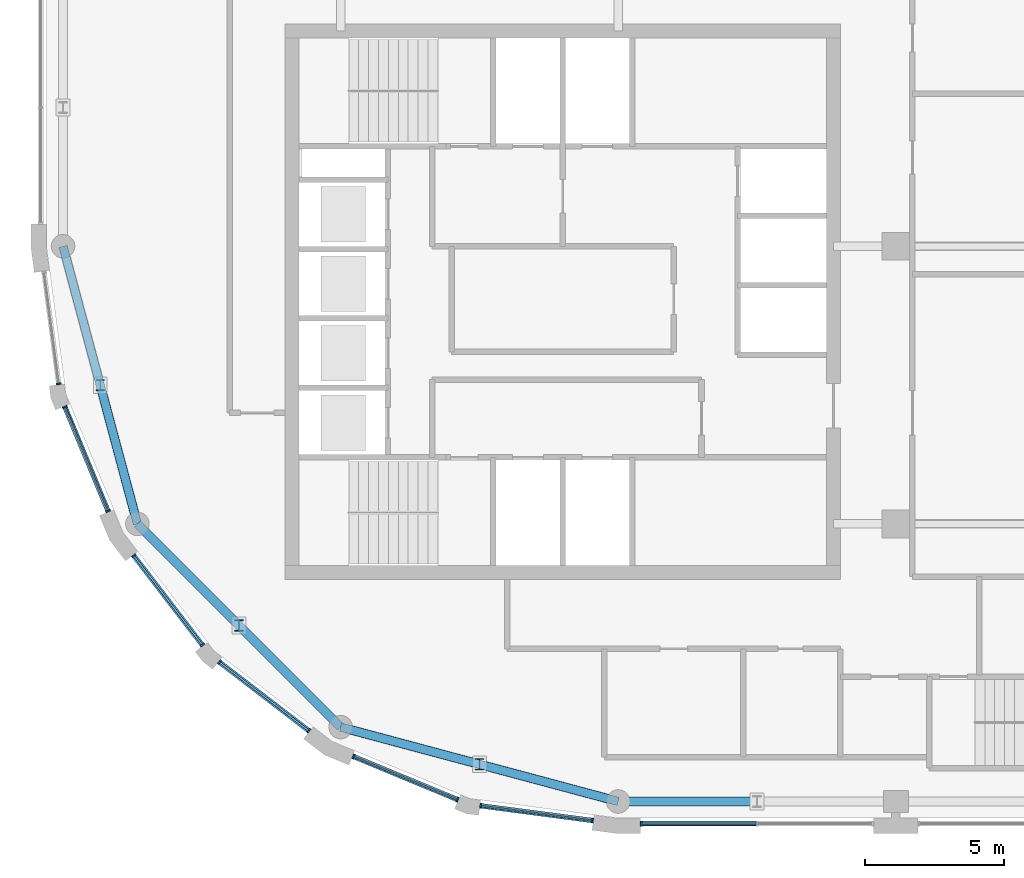
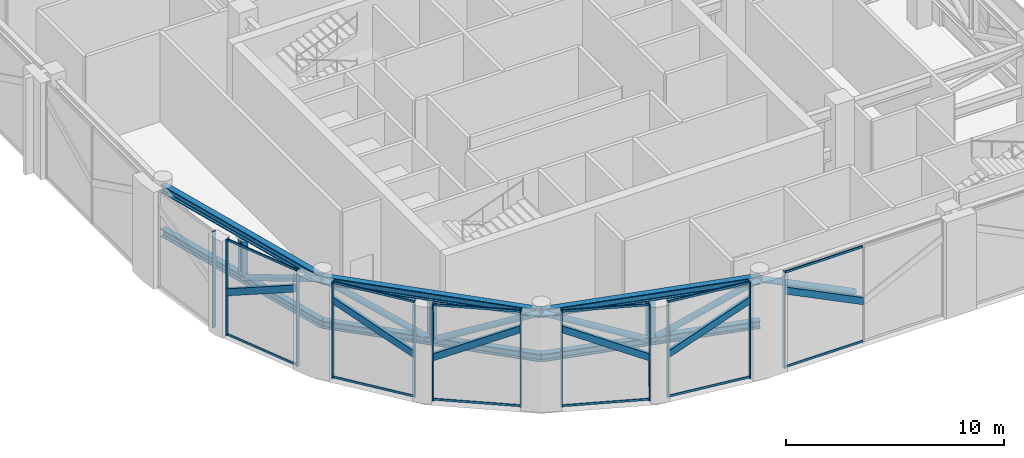
# One storey, part 2 of 18: 45 members, 7 elements without a shape of their own.
"""IFC4 building model written with IfcOpenShell, lengths in metres."""

from ifc_helpers import new_model, si_unit, direction, frame, origin, origin_2d, place, context, subcontext, project, spatial, polyline, rectangle, hollow_circle, i_section, outline, extrude, material, layer, layer_set, material_profile, profile_set, type_object, element, aggregate, save


model = new_model("IFC4")

# Units and contexts
model_context = context("Model", 3, precision=1e-05, world=origin(), true_north=direction((0.0, 1.0)))
body_context = subcontext(model_context, "Body", "Model", "MODEL_VIEW")
ifc_project = project(units=[si_unit("LENGTHUNIT", "METRE"), si_unit("AREAUNIT", "SQUARE_METRE"), si_unit("VOLUMEUNIT", "CUBIC_METRE"), si_unit("PLANEANGLEUNIT", "RADIAN"), si_unit("MASSUNIT", "GRAM", prefix="KILO")], contexts=[model_context])

# Site, building, storey
site_placement = place(None, origin())
site = spatial("IfcSite", under=ifc_project, at=site_placement, CompositionType="ELEMENT")
building_placement = place(site_placement, origin())
building = spatial("IfcBuilding", under=site, at=building_placement, Name="Qaws Garden Tower", CompositionType="ELEMENT")
storey_placement = place(building_placement, frame((0.0, 0.0, 352.800048828125)))
storey = spatial("IfcBuildingStorey", under=building, at=storey_placement, Name="L86", CompositionType="ELEMENT", Elevation=352.800048828125)

# Members
ifc_material_1 = material(Name="Steel S355", Category="steel")
ifc_material_profile_1 = material_profile(ifc_material_1, i_section(OverallWidth=0.306884765625, OverallDepth=0.431884765625, WebThickness=0.02099609375, FlangeThickness=0.0400390625, FilletRadius=0.027099609375, at=origin_2d()), Name="HEM 400")
ifc_profile_set_1 = profile_set([ifc_material_profile_1], Name="Steel S355")
member_type_1 = type_object("IfcMemberType", Name="Belt chord HEM 400", PredefinedType="CHORD", material=ifc_profile_set_1)
for number, where, z_axis, x_axis, name in (
    (1, (0.0, 20.0, 4.783935546875), (0.25881466832, -0.965926999034, 0.0), (0.965926999034, 0.25881466832, 0.0), "Belt truss top chord 18"),
    (2, (0.0, 20.0, 2.31591796875), (0.25881466832, -0.965926999034, 0.0), (0.965926999034, 0.25881466832, 0.0), "Belt truss bottom chord 18"),
    (3, (2.679443359375, 10.0, 4.783935546875), (0.707106781187, -0.707106781187, 0.0), (0.707106781187, 0.707106781187, 0.0), "Belt truss top chord 19"),
    (4, (2.679443359375, 10.0, 2.31591796875), (0.707106781187, -0.707106781187, 0.0), (0.707106781187, 0.707106781187, 0.0), "Belt truss bottom chord 19"),
    (5, (10.0, 2.679443359375, 4.783935546875), (0.965926999034, -0.25881466832, 0.0), (0.25881466832, 0.965926999034, 0.0), "Belt truss top chord 20"),
    (6, (10.0, 2.679443359375, 2.31591796875), (0.965926999034, -0.25881466832, 0.0), (0.25881466832, 0.965926999034, 0.0), "Belt truss bottom chord 20"),
):
    element("IfcMember", number, at=place(storey_placement, frame(where, z_axis=z_axis, x_axis=x_axis)), inside=storey, type_object=member_type_1, Name=name, PredefinedType="CHORD", context=body_context, shape_type="SweptSolid", body=[
        extrude(i_section(OverallWidth=0.306884765625, OverallDepth=0.431884765625, WebThickness=0.02099609375, FlangeThickness=0.0400390625, FilletRadius=0.027099609375, at=origin_2d()), origin(), (0.0, 0.0, 1.0), 10.352783203125),
    ])
ifc_material_2 = material(Name="Steel S355", Category="steel")
ifc_material_profile_2 = material_profile(ifc_material_2, hollow_circle(Radius=0.161865234375, WallThickness=0.01611328125, at=origin_2d()), Name="CHS 323.9x16")
ifc_profile_set_2 = profile_set([ifc_material_profile_2], Name="Steel S355")
member_type_2 = type_object("IfcMemberType", Name="Belt diagonal CHS 323.9x16", PredefinedType="BRACE", material=ifc_profile_set_2)
member_1_placement = place(storey_placement, frame((20.0, 0.0, 4.783935546875), z_axis=(0.896709736444, 0.0, -0.442619078404), x_axis=(0.0, 1.0, 0.0)))
element("IfcMember", 7, at=member_1_placement, inside=storey, type_object=member_type_2, Name="Belt truss diagonal 1a", PredefinedType="BRACE", context=body_context, shape_type="SweptSolid", body=[
    extrude(hollow_circle(Radius=0.161865234375, WallThickness=0.01611328125, at=origin_2d()), origin(), (0.0, 0.0, 1.0), 5.575927734375),
])
for number, where, z_axis, x_axis, name in (
    (8, (1.339599609375, 15.0, 2.31591796875), (0.233639732407, -0.871891712772, 0.430368814669), (0.965921103361, 0.258836670666, 0.0), "Belt truss diagonal 18b"),
    (9, (2.679443359375, 10.0, 4.783935546875), (0.638293645637, -0.63825107286, -0.430368202744), (0.707083198776, 0.70713036281, 0.0), "Belt truss diagonal 19a"),
    (10, (6.33984375, 6.33984375, 2.31591796875), (0.63825107286, -0.638293645637, 0.430368202744), (0.70713036281, 0.707083198776, 0.0), "Belt truss diagonal 19b"),
    (11, (10.0, 2.679443359375, 4.783935546875), (0.871891712772, -0.233639732407, -0.430368814669), (0.258836670666, 0.965921103361, 0.0), "Belt truss diagonal 20a"),
    (12, (15.0, 1.339599609375, 2.31591796875), (0.871900384563, -0.233599482915, 0.430373095095), (0.258792665571, 0.965932894277, 0.0), "Belt truss diagonal 20b"),
):
    element("IfcMember", number, at=place(storey_placement, frame(where, z_axis=z_axis, x_axis=x_axis)), inside=storey, type_object=member_type_2, Name=name, PredefinedType="BRACE", context=body_context, shape_type="SweptSolid", body=[
        extrude(hollow_circle(Radius=0.161865234375, WallThickness=0.01611328125, at=origin_2d()), origin(), (0.0, 0.0, 1.0), 5.734619140625),
    ])
ifc_material_3 = material(Name="Steel S355", Category="steel")
ifc_material_profile_3 = material_profile(ifc_material_3, i_section(OverallWidth=0.300048828125, OverallDepth=0.39990234375, WebThickness=0.013427734375, FlangeThickness=0.02392578125, FilletRadius=0.027099609375, at=origin_2d()), Name="HEB 400")
ifc_profile_set_3 = profile_set([ifc_material_profile_3], Name="Steel S355")
member_type_3 = type_object("IfcMemberType", Name="Belt post HEB 400", PredefinedType="POST", material=ifc_profile_set_3)
for number, where, z_axis, x_axis, name in (
    (13, (1.339599609375, 15.0, 2.531982421875), (0.0, 0.0, 1.0), (1.0, 0.0, 0.0), "Belt truss post 18"),
    (14, (6.33984375, 6.33984375, 2.531982421875), (0.0, 0.0, 1.0), (1.0, 0.0, 0.0), "Belt truss post 19"),
    (15, (15.0, 1.339599609375, 2.531982421875), (0.0, 0.0, 1.0), (1.0, 0.0, 0.0), "Belt truss post 20"),
):
    element("IfcMember", number, at=place(storey_placement, frame(where, z_axis=z_axis, x_axis=x_axis)), inside=storey, type_object=member_type_3, Name=name, PredefinedType="POST", context=body_context, shape_type="SweptSolid", body=[
        extrude(i_section(OverallWidth=0.300048828125, OverallDepth=0.39990234375, WebThickness=0.013427734375, FlangeThickness=0.02392578125, FilletRadius=0.027099609375, at=origin_2d()), origin(), (0.0, 0.0, 1.0), 2.035888671875),
    ])

# Curtain wall, member
ifc_material_4 = material(Name="Anodised aluminium curtain wall frame", Category="aluminium")
ifc_layer = layer(ifc_material_4, 0.159912109375)
ifc_layer_set = layer_set([ifc_layer], Name="Anodised aluminium curtain wall frame")
curtain_wall_type = type_object("IfcCurtainWallType", Name="CW6 plant floor louvre glazing curtain wall", PredefinedType="NOTDEFINED", material=ifc_layer_set)
placement = place(storey_placement, origin())
curtain_wall_1 = element("IfcCurtainWall", 16, at=placement, inside=storey, type_object=curtain_wall_type, Name="CW6 Plant floor louvre glazing 00", PredefinedType="NOTDEFINED")
ifc_material_5 = material(Name="Anodised aluminium curtain wall frame", Category="aluminium")
ifc_material_profile_4 = material_profile(ifc_material_5, rectangle(XDim=0.179931640625, YDim=0.360107421875, at=origin_2d()), Name="AL 180x360")
ifc_profile_set_4 = profile_set([ifc_material_profile_4], Name="Anodised aluminium curtain wall frame")
member_type_4 = type_object("IfcMemberType", Name="CW6 inclined transom 360 x 180", PredefinedType="USERDEFINED", material=ifc_profile_set_4)
member_2_placement = place(storey_placement, frame((20.800048828125, -0.800048828125, 0.119873046875), z_axis=(0.0, 0.0, 1.0), x_axis=(1.0, 0.0, 0.0)))
member_2 = element("IfcMember", 17, at=member_2_placement, type_object=member_type_4, Name="CW6 inclined transom 1.1", ObjectType="TRANSOM", PredefinedType="USERDEFINED", context=body_context, shape_type="SweptSolid", body=[
    extrude(outline(polyline([(0.06005859375, 4.038818359375), (4.169921875, 2.01025390625), (4.169921875, 2.41162109375), (0.06005859375, 4.440185546875), (0.06005859375, 4.038818359375)])), frame((0.0, 0.08984375, 0.0), z_axis=(0.0, -1.0, 0.0), x_axis=(1.0, 0.0, 0.0)), (0.0, 0.0, 1.0), 0.179931640625),
])

curtain_wall_2 = element("IfcCurtainWall", 18, at=placement, inside=storey, type_object=curtain_wall_type, Name="CW6 Plant floor louvre glazing 22", PredefinedType="NOTDEFINED")
member_3_placement = place(storey_placement, frame((0.05712890625, 14.240234375, 0.119873046875), z_axis=(0.0, 0.0, 1.0), x_axis=(0.382700599142, -0.923872421613, 0.0)))
member_3 = element("IfcMember", 19, at=member_3_placement, type_object=member_type_4, Name="CW6 inclined transom 1.1", ObjectType="TRANSOM", PredefinedType="USERDEFINED", context=body_context, shape_type="SweptSolid", body=[
    extrude(outline(polyline([(0.06005859375, 2.126708984375), (4.06103515625, 4.05078125), (4.06103515625, 4.4501953125), (0.06005859375, 2.526123046875), (0.06005859375, 2.126708984375)])), frame((0.0, 0.08984375, 0.0), z_axis=(0.0, -1.0, 0.0), x_axis=(1.0, 0.0, 0.0)), (0.0, 0.0, 1.0), 0.179931640625),
])

curtain_wall_3 = element("IfcCurtainWall", 20, at=placement, inside=storey, type_object=curtain_wall_type, Name="CW6 Plant floor louvre glazing 23", PredefinedType="NOTDEFINED")
member_4_placement = place(storey_placement, frame((2.53173828125, 8.87841796875, 0.119873046875), z_axis=(0.0, 0.0, 1.0), x_axis=(0.608759824817, -0.793354571229, 0.0)))
member_4 = element("IfcMember", 21, at=member_4_placement, type_object=member_type_4, Name="CW6 inclined transom 1.1", ObjectType="TRANSOM", PredefinedType="USERDEFINED", context=body_context, shape_type="SweptSolid", body=[
    extrude(outline(polyline([(0.06005859375, 4.05078125), (4.06103515625, 2.126708984375), (4.06103515625, 2.526123046875), (0.06005859375, 4.4501953125), (0.06005859375, 4.05078125)])), frame((0.0, 0.08984375, 0.0), z_axis=(0.0, -1.0, 0.0), x_axis=(1.0, 0.0, 0.0)), (0.0, 0.0, 1.0), 0.179931640625),
])

curtain_wall_4 = element("IfcCurtainWall", 22, at=placement, inside=storey, type_object=curtain_wall_type, Name="CW6 Plant floor louvre glazing 24", PredefinedType="NOTDEFINED")
member_5_placement = place(storey_placement, frame((5.60888671875, 5.04052734375, 0.119873046875), z_axis=(0.0, 0.0, 1.0), x_axis=(0.793354571229, -0.608759824817, 0.0)))
member_5 = element("IfcMember", 23, at=member_5_placement, type_object=member_type_4, Name="CW6 inclined transom 1.1", ObjectType="TRANSOM", PredefinedType="USERDEFINED", context=body_context, shape_type="SweptSolid", body=[
    extrude(outline(polyline([(0.06005859375, 2.126708984375), (4.06103515625, 4.05078125), (4.06103515625, 4.4501953125), (0.06005859375, 2.526123046875), (0.06005859375, 2.126708984375)])), frame((0.0, 0.08984375, 0.0), z_axis=(0.0, -1.0, 0.0), x_axis=(1.0, 0.0, 0.0)), (0.0, 0.0, 1.0), 0.179931640625),
])

curtain_wall_5 = element("IfcCurtainWall", 24, at=placement, inside=storey, type_object=curtain_wall_type, Name="CW6 Plant floor louvre glazing 25", PredefinedType="NOTDEFINED")
member_6_placement = place(storey_placement, frame((10.432861328125, 1.63427734375, 0.119873046875), z_axis=(0.0, 0.0, 1.0), x_axis=(0.923872421613, -0.382700599142, 0.0)))
member_6 = element("IfcMember", 25, at=member_6_placement, type_object=member_type_4, Name="CW6 inclined transom 1.1", ObjectType="TRANSOM", PredefinedType="USERDEFINED", context=body_context, shape_type="SweptSolid", body=[
    extrude(outline(polyline([(0.06005859375, 4.05078125), (4.06103515625, 2.126708984375), (4.06103515625, 2.526123046875), (0.06005859375, 4.4501953125), (0.06005859375, 4.05078125)])), frame((0.0, 0.08984375, 0.0), z_axis=(0.0, -1.0, 0.0), x_axis=(1.0, 0.0, 0.0)), (0.0, 0.0, 1.0), 0.179931640625),
])

curtain_wall_6 = element("IfcCurtainWall", 26, at=placement, inside=storey, type_object=curtain_wall_type, Name="CW6 Plant floor louvre glazing 26", PredefinedType="NOTDEFINED")
member_7_placement = place(storey_placement, frame((15.0166015625, -0.15087890625, 0.119873046875), z_axis=(0.0, 0.0, 1.0), x_axis=(0.991447438579, -0.130506614913, 0.0)))
member_7 = element("IfcMember", 27, at=member_7_placement, type_object=member_type_4, Name="CW6 inclined transom 1.1", ObjectType="TRANSOM", PredefinedType="USERDEFINED", context=body_context, shape_type="SweptSolid", body=[
    extrude(outline(polyline([(0.06005859375, 2.126708984375), (4.06103515625, 4.05078125), (4.06103515625, 4.4501953125), (0.06005859375, 2.526123046875), (0.06005859375, 2.126708984375)])), frame((0.0, 0.08984375, 0.0), z_axis=(0.0, -1.0, 0.0), x_axis=(1.0, 0.0, 0.0)), (0.0, 0.0, 1.0), 0.179931640625),
])

# Member
ifc_material_6 = material(Name="Anodised aluminium curtain wall frame", Category="aluminium")
ifc_material_profile_5 = material_profile(ifc_material_6, rectangle(XDim=0.179931640625, YDim=0.06005859375, at=origin_2d()), Name="AL 60x180")
ifc_profile_set_5 = profile_set([ifc_material_profile_5], Name="Anodised aluminium curtain wall frame")
member_type_5 = type_object("IfcMemberType", Name="CW6 mullion 60 x 180", PredefinedType="MULLION", material=ifc_profile_set_5)
member_8_placement = place(storey_placement, frame((20.830078125, -0.800048828125, 0.0), z_axis=(0.0, 0.0, 1.0), x_axis=(0.0, 1.0, 0.0)))
member_8 = element("IfcMember", 28, at=member_8_placement, type_object=member_type_5, Name="CW6 mullion 1", PredefinedType="MULLION", context=body_context, shape_type="SweptSolid", body=[
    extrude(rectangle(XDim=0.179931640625, YDim=0.06005859375, at=origin_2d()), origin(), (0.0, 0.0, 1.0), 5.39990234375),
])

# Curtain wall, member
curtain_wall_7 = element("IfcCurtainWall", 29, at=placement, inside=storey, type_object=curtain_wall_type, Name="CW6 Plant floor louvre glazing 21", PredefinedType="NOTDEFINED")
member_9_placement = place(storey_placement, frame((-0.15478515625, 15.04638671875, 0.0), z_axis=(0.0, 0.0, 1.0), x_axis=(0.991444861397, 0.130526192047, 0.0)))
member_9 = element("IfcMember", 30, at=member_9_placement, type_object=member_type_5, Name="CW6 mullion 2", PredefinedType="MULLION", context=body_context, shape_type="SweptSolid", body=[
    extrude(rectangle(XDim=0.179931640625, YDim=0.06005859375, at=origin_2d()), origin(), (0.0, 0.0, 1.0), 5.39990234375),
])
aggregate(curtain_wall_7, [member_9])

# Member
member_10_placement = place(storey_placement, frame((0.068603515625, 14.212646484375, 0.0), z_axis=(0.0, 0.0, 1.0), x_axis=(0.923879532545, 0.382683432284, 0.0)))
member_10 = element("IfcMember", 31, at=member_10_placement, type_object=member_type_5, Name="CW6 mullion 1", PredefinedType="MULLION", context=body_context, shape_type="SweptSolid", body=[
    extrude(rectangle(XDim=0.179931640625, YDim=0.06005859375, at=origin_2d()), origin(), (0.0, 0.0, 1.0), 5.39990234375),
])

member_11_placement = place(storey_placement, frame((1.622802734375, 10.460693359375, 0.0), z_axis=(0.0, 0.0, 1.0), x_axis=(0.923879532545, 0.382683432284, 0.0)))
member_11 = element("IfcMember", 32, at=member_11_placement, type_object=member_type_5, Name="CW6 mullion 2", PredefinedType="MULLION", context=body_context, shape_type="SweptSolid", body=[
    extrude(rectangle(XDim=0.179931640625, YDim=0.06005859375, at=origin_2d()), origin(), (0.0, 0.0, 1.0), 5.39990234375),
])

member_12_placement = place(storey_placement, frame((2.550048828125, 8.8544921875, 0.0), z_axis=(0.0, 0.0, 1.0), x_axis=(0.793353340355, 0.608761428926, 0.0)))
member_12 = element("IfcMember", 33, at=member_12_placement, type_object=member_type_5, Name="CW6 mullion 1", PredefinedType="MULLION", context=body_context, shape_type="SweptSolid", body=[
    extrude(rectangle(XDim=0.179931640625, YDim=0.06005859375, at=origin_2d()), origin(), (0.0, 0.0, 1.0), 5.39990234375),
])

member_13_placement = place(storey_placement, frame((5.022216796875, 5.632568359375, 0.0), z_axis=(0.0, 0.0, 1.0), x_axis=(0.793353340355, 0.608761428926, 0.0)))
member_13 = element("IfcMember", 34, at=member_13_placement, type_object=member_type_5, Name="CW6 mullion 2", PredefinedType="MULLION", context=body_context, shape_type="SweptSolid", body=[
    extrude(rectangle(XDim=0.179931640625, YDim=0.06005859375, at=origin_2d()), origin(), (0.0, 0.0, 1.0), 5.39990234375),
])

member_14_placement = place(storey_placement, frame((5.632568359375, 5.022216796875, 0.0), z_axis=(0.0, 0.0, 1.0), x_axis=(0.608761428926, 0.793353340355, 0.0)))
member_14 = element("IfcMember", 35, at=member_14_placement, type_object=member_type_5, Name="CW6 mullion 1", PredefinedType="MULLION", context=body_context, shape_type="SweptSolid", body=[
    extrude(rectangle(XDim=0.179931640625, YDim=0.06005859375, at=origin_2d()), origin(), (0.0, 0.0, 1.0), 5.39990234375),
])

member_15_placement = place(storey_placement, frame((8.8544921875, 2.550048828125, 0.0), z_axis=(0.0, 0.0, 1.0), x_axis=(0.608761428926, 0.793353340355, 0.0)))
member_15 = element("IfcMember", 36, at=member_15_placement, type_object=member_type_5, Name="CW6 mullion 2", PredefinedType="MULLION", context=body_context, shape_type="SweptSolid", body=[
    extrude(rectangle(XDim=0.179931640625, YDim=0.06005859375, at=origin_2d()), origin(), (0.0, 0.0, 1.0), 5.39990234375),
])

member_16_placement = place(storey_placement, frame((10.460693359375, 1.622802734375, 0.0), z_axis=(0.0, 0.0, 1.0), x_axis=(0.382683432284, 0.923879532545, 0.0)))
member_16 = element("IfcMember", 37, at=member_16_placement, type_object=member_type_5, Name="CW6 mullion 1", PredefinedType="MULLION", context=body_context, shape_type="SweptSolid", body=[
    extrude(rectangle(XDim=0.179931640625, YDim=0.06005859375, at=origin_2d()), origin(), (0.0, 0.0, 1.0), 5.39990234375),
])

member_17_placement = place(storey_placement, frame((14.212646484375, 0.068603515625, 0.0), z_axis=(0.0, 0.0, 1.0), x_axis=(0.382683432284, 0.923879532545, 0.0)))
member_17 = element("IfcMember", 38, at=member_17_placement, type_object=member_type_5, Name="CW6 mullion 2", PredefinedType="MULLION", context=body_context, shape_type="SweptSolid", body=[
    extrude(rectangle(XDim=0.179931640625, YDim=0.06005859375, at=origin_2d()), origin(), (0.0, 0.0, 1.0), 5.39990234375),
])

member_18_placement = place(storey_placement, frame((15.04638671875, -0.15478515625, 0.0), z_axis=(0.0, 0.0, 1.0), x_axis=(0.130526192047, 0.991444861397, 0.0)))
member_18 = element("IfcMember", 39, at=member_18_placement, type_object=member_type_5, Name="CW6 mullion 1", PredefinedType="MULLION", context=body_context, shape_type="SweptSolid", body=[
    extrude(rectangle(XDim=0.179931640625, YDim=0.06005859375, at=origin_2d()), origin(), (0.0, 0.0, 1.0), 5.39990234375),
])

member_19_placement = place(storey_placement, frame((19.07275390625, -0.684814453125, 0.0), z_axis=(0.0, 0.0, 1.0), x_axis=(0.130526192047, 0.991444861397, 0.0)))
member_19 = element("IfcMember", 40, at=member_19_placement, type_object=member_type_5, Name="CW6 mullion 2", PredefinedType="MULLION", context=body_context, shape_type="SweptSolid", body=[
    extrude(rectangle(XDim=0.179931640625, YDim=0.06005859375, at=origin_2d()), origin(), (0.0, 0.0, 1.0), 5.39990234375),
])

ifc_material_7 = material(Name="Anodised aluminium curtain wall frame", Category="aluminium")
ifc_material_profile_6 = material_profile(ifc_material_7, rectangle(XDim=0.06005859375, YDim=0.1201171875, at=origin_2d()), Name="AL 60x120")
ifc_profile_set_6 = profile_set([ifc_material_profile_6], Name="Anodised aluminium curtain wall frame")
member_type_6 = type_object("IfcMemberType", Name="CW6 transom 120 x 60", PredefinedType="USERDEFINED", material=ifc_profile_set_6)
member_20_placement = place(storey_placement, frame((20.860107421875, -0.800048828125, 0.06005859375), z_axis=(1.0, 0.0, 0.0), x_axis=(0.0, 1.0, 0.0)))
member_20 = element("IfcMember", 41, at=member_20_placement, type_object=member_type_6, Name="CW6 transom 1.1", ObjectType="TRANSOM", PredefinedType="USERDEFINED", context=body_context, shape_type="SweptSolid", body=[
    extrude(rectangle(XDim=0.06005859375, YDim=0.1201171875, at=origin_2d()), origin(), (0.0, 0.0, 1.0), 4.10986328125),
])

member_21_placement = place(storey_placement, frame((20.860107421875, -0.800048828125, 5.33984375), z_axis=(1.0, 0.0, 0.0), x_axis=(0.0, 1.0, 0.0)))
member_21 = element("IfcMember", 42, at=member_21_placement, type_object=member_type_6, Name="CW6 transom 1.2", ObjectType="TRANSOM", PredefinedType="USERDEFINED", context=body_context, shape_type="SweptSolid", body=[
    extrude(rectangle(XDim=0.06005859375, YDim=0.1201171875, at=origin_2d()), origin(), (0.0, 0.0, 1.0), 4.10986328125),
])

aggregate(curtain_wall_1, [member_8, member_20, member_21, member_2])

member_22_placement = place(storey_placement, frame((0.080078125, 14.184814453125, 0.06005859375), z_axis=(0.382703871955, -0.923871065891, 0.0), x_axis=(0.923871065891, 0.382703871955, 0.0)))
member_22 = element("IfcMember", 43, at=member_22_placement, type_object=member_type_6, Name="CW6 transom 1.1", ObjectType="TRANSOM", PredefinedType="USERDEFINED", context=body_context, shape_type="SweptSolid", body=[
    extrude(rectangle(XDim=0.06005859375, YDim=0.1201171875, at=origin_2d()), origin(), (0.0, 0.0, 1.0), 4.001220703125),
])

member_23_placement = place(storey_placement, frame((0.080078125, 14.184814453125, 5.33984375), z_axis=(0.382703871955, -0.923871065891, 0.0), x_axis=(0.923871065891, 0.382703871955, 0.0)))
member_23 = element("IfcMember", 44, at=member_23_placement, type_object=member_type_6, Name="CW6 transom 1.2", ObjectType="TRANSOM", PredefinedType="USERDEFINED", context=body_context, shape_type="SweptSolid", body=[
    extrude(rectangle(XDim=0.06005859375, YDim=0.1201171875, at=origin_2d()), origin(), (0.0, 0.0, 1.0), 4.001220703125),
])

aggregate(curtain_wall_2, [member_10, member_11, member_22, member_23, member_3])

member_24_placement = place(storey_placement, frame((2.568359375, 8.830810546875, 0.06005859375), z_axis=(0.608731260508, -0.793376488485, 0.0), x_axis=(0.793376488485, 0.608731260508, 0.0)))
member_24 = element("IfcMember", 45, at=member_24_placement, type_object=member_type_6, Name="CW6 transom 1.1", ObjectType="TRANSOM", PredefinedType="USERDEFINED", context=body_context, shape_type="SweptSolid", body=[
    extrude(rectangle(XDim=0.06005859375, YDim=0.1201171875, at=origin_2d()), origin(), (0.0, 0.0, 1.0), 4.0009765625),
])

member_25_placement = place(storey_placement, frame((2.568359375, 8.830810546875, 5.33984375), z_axis=(0.608731260508, -0.793376488485, 0.0), x_axis=(0.793376488485, 0.608731260508, 0.0)))
member_25 = element("IfcMember", 46, at=member_25_placement, type_object=member_type_6, Name="CW6 transom 1.2", ObjectType="TRANSOM", PredefinedType="USERDEFINED", context=body_context, shape_type="SweptSolid", body=[
    extrude(rectangle(XDim=0.06005859375, YDim=0.1201171875, at=origin_2d()), origin(), (0.0, 0.0, 1.0), 4.0009765625),
])

aggregate(curtain_wall_3, [member_12, member_13, member_24, member_25, member_4])

member_26_placement = place(storey_placement, frame((5.656494140625, 5.00390625, 0.06005859375), z_axis=(0.793376488485, -0.608731260508, 0.0), x_axis=(0.608731260508, 0.793376488485, 0.0)))
member_26 = element("IfcMember", 47, at=member_26_placement, type_object=member_type_6, Name="CW6 transom 1.1", ObjectType="TRANSOM", PredefinedType="USERDEFINED", context=body_context, shape_type="SweptSolid", body=[
    extrude(rectangle(XDim=0.06005859375, YDim=0.1201171875, at=origin_2d()), origin(), (0.0, 0.0, 1.0), 4.0009765625),
])

member_27_placement = place(storey_placement, frame((5.656494140625, 5.00390625, 5.33984375), z_axis=(0.793376488485, -0.608731260508, 0.0), x_axis=(0.608731260508, 0.793376488485, 0.0)))
member_27 = element("IfcMember", 48, at=member_27_placement, type_object=member_type_6, Name="CW6 transom 1.2", ObjectType="TRANSOM", PredefinedType="USERDEFINED", context=body_context, shape_type="SweptSolid", body=[
    extrude(rectangle(XDim=0.06005859375, YDim=0.1201171875, at=origin_2d()), origin(), (0.0, 0.0, 1.0), 4.0009765625),
])

aggregate(curtain_wall_4, [member_14, member_15, member_26, member_27, member_5])

member_28_placement = place(storey_placement, frame((10.48828125, 1.611328125, 0.06005859375), z_axis=(0.923871065891, -0.382703871955, 0.0), x_axis=(0.382703871955, 0.923871065891, 0.0)))
member_28 = element("IfcMember", 49, at=member_28_placement, type_object=member_type_6, Name="CW6 transom 1.1", ObjectType="TRANSOM", PredefinedType="USERDEFINED", context=body_context, shape_type="SweptSolid", body=[
    extrude(rectangle(XDim=0.06005859375, YDim=0.1201171875, at=origin_2d()), origin(), (0.0, 0.0, 1.0), 4.001220703125),
])

member_29_placement = place(storey_placement, frame((10.48828125, 1.611328125, 5.33984375), z_axis=(0.923871065891, -0.382703871955, 0.0), x_axis=(0.382703871955, 0.923871065891, 0.0)))
member_29 = element("IfcMember", 50, at=member_29_placement, type_object=member_type_6, Name="CW6 transom 1.2", ObjectType="TRANSOM", PredefinedType="USERDEFINED", context=body_context, shape_type="SweptSolid", body=[
    extrude(rectangle(XDim=0.06005859375, YDim=0.1201171875, at=origin_2d()), origin(), (0.0, 0.0, 1.0), 4.001220703125),
])

aggregate(curtain_wall_5, [member_16, member_17, member_28, member_29, member_6])

member_30_placement = place(storey_placement, frame((15.076171875, -0.15869140625, 0.06005859375), z_axis=(0.991445570314, -0.13052080717, 0.0), x_axis=(0.13052080717, 0.991445570314, 0.0)))
member_30 = element("IfcMember", 51, at=member_30_placement, type_object=member_type_6, Name="CW6 transom 1.1", ObjectType="TRANSOM", PredefinedType="USERDEFINED", context=body_context, shape_type="SweptSolid", body=[
    extrude(rectangle(XDim=0.06005859375, YDim=0.1201171875, at=origin_2d()), origin(), (0.0, 0.0, 1.0), 4.0009765625),
])

member_31_placement = place(storey_placement, frame((15.076171875, -0.15869140625, 5.33984375), z_axis=(0.991445570314, -0.13052080717, 0.0), x_axis=(0.13052080717, 0.991445570314, 0.0)))
member_31 = element("IfcMember", 52, at=member_31_placement, type_object=member_type_6, Name="CW6 transom 1.2", ObjectType="TRANSOM", PredefinedType="USERDEFINED", context=body_context, shape_type="SweptSolid", body=[
    extrude(rectangle(XDim=0.06005859375, YDim=0.1201171875, at=origin_2d()), origin(), (0.0, 0.0, 1.0), 4.0009765625),
])

aggregate(curtain_wall_6, [member_18, member_19, member_30, member_31, member_7])

save(model, "model.ifc")
